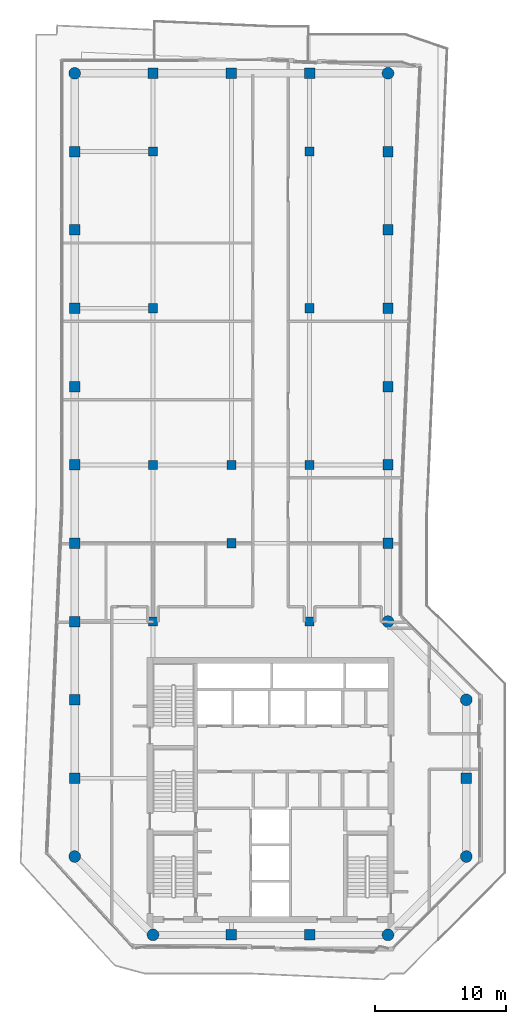
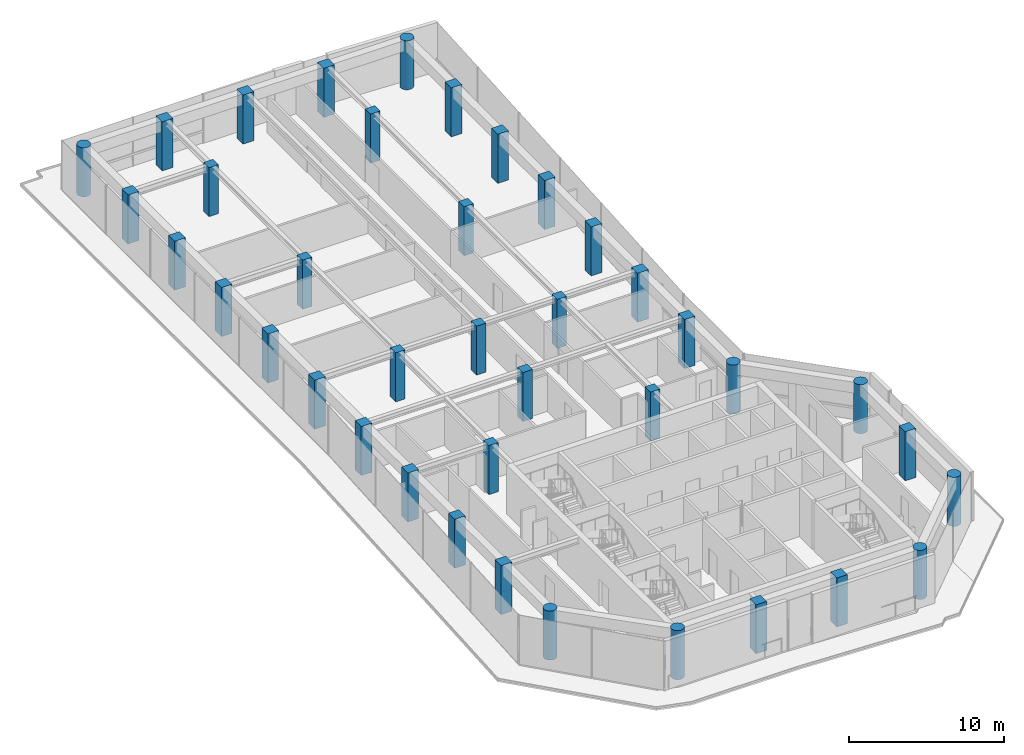
# One storey, part 1 of 20: 39 columns.
"""IFC4 building model written with IfcOpenShell, lengths in metres."""

import ifcopenshell
import ifcopenshell.guid

model = None  # the IFC model being written
_history = None  # IfcOwnerHistory: only IFC2X3 demands one
_inside = {}  # id of a spatial element -> (the spatial element, [elements in it])
_under = {}  # id of a project, library or spatial element -> (it, [spatial elements below it])
_declared = {}  # id of a project -> (the project, [libraries it declares])
_typed = {}  # id of a type object -> (the type object, [elements of that type])
_made_of = {}  # id of a material, layer set ... -> (it, [elements and type objects made of it])


def new_model(schema):
    """Start an empty IFC model of exactly this schema.

    Asked for "IFC4X3", IfcOpenShell would pick the latest addendum, in which some entities
    have other attributes; the version numbers below select the first issue.
    IFC2X3 requires an IfcOwnerHistory on every rooted entity: one is made here for all.
    """
    global model, _history
    if schema == "IFC4X3":
        model = ifcopenshell.file(schema_version=(4, 3, 0, 0))
    else:
        model = ifcopenshell.file(schema=schema)
    _inside.clear()
    _under.clear()
    _declared.clear()
    _typed.clear()
    _made_of.clear()
    _history = None
    if model.schema == "IFC2X3":
        org = make("IfcOrganization", Name="unknown")
        user = make(
            "IfcPersonAndOrganization",
            ThePerson=make("IfcPerson", FamilyName="unknown"),
            TheOrganization=org,
        )
        app = make(
            "IfcApplication",
            ApplicationDeveloper=org,
            Version="unknown",
            ApplicationFullName="unknown",
            ApplicationIdentifier="unknown",
        )
        _history = make(
            "IfcOwnerHistory",
            OwningUser=user,
            OwningApplication=app,
            ChangeAction="ADDED",
            CreationDate=0,
        )
    return model


def make(cls, **values):
    """One entity of the class cls with the attributes given. An attribute that is None is left unset."""
    return model.create_entity(
        cls, **{name: value for name, value in values.items() if value is not None}
    )


def rooted(cls, **values):
    """An entity with a GlobalId (a new one), such as an element, a storey or a relation."""
    return make(cls, GlobalId=ifcopenshell.guid.new(), OwnerHistory=_history, **values)


def si_unit(unit_type, name, prefix=None):
    """IfcSIUnit, for example si_unit("LENGTHUNIT", "METRE", prefix="MILLI")."""
    return make("IfcSIUnit", UnitType=unit_type, Prefix=prefix, Name=name)


def assignment(units):
    """IfcUnitAssignment: the units of a project."""
    return None if units is None else make("IfcUnitAssignment", Units=units)


def point(xyz):
    """IfcCartesianPoint."""
    return None if xyz is None else make("IfcCartesianPoint", Coordinates=xyz)


def direction(xyz):
    """IfcDirection."""
    return None if xyz is None else make("IfcDirection", DirectionRatios=xyz)


def frame(location, z_axis=None, x_axis=None):
    """IfcAxis2Placement3D, a coordinate frame: its origin and axes. An axis left out is left unset."""
    return make(
        "IfcAxis2Placement3D",
        Location=point(location),
        Axis=direction(z_axis),
        RefDirection=direction(x_axis),
    )


def frame_2d(location, x_axis=None):
    """IfcAxis2Placement2D, a coordinate frame in the plane: its origin and x axis."""
    return make(
        "IfcAxis2Placement2D", Location=point(location), RefDirection=direction(x_axis)
    )


def origin():
    """The frame at (0, 0, 0) with its axes left unset."""
    return frame((0.0, 0.0, 0.0))


def origin_2d():
    """The frame at (0, 0) in the plane with its x axis left unset."""
    return frame_2d((0.0, 0.0))


def place(relative_to, where):
    """IfcLocalPlacement: puts the frame where relative to a parent placement (None: the world)."""
    return make(
        "IfcLocalPlacement", PlacementRelTo=relative_to, RelativePlacement=where
    )


def context(
    kind, dimensions, precision=None, world=None, true_north=None, identifier=None
):
    """IfcGeometricRepresentationContext, for example the 3D "Model" context."""
    return make(
        "IfcGeometricRepresentationContext",
        ContextIdentifier=identifier,
        ContextType=kind,
        CoordinateSpaceDimension=dimensions,
        Precision=precision,
        WorldCoordinateSystem=world,
        TrueNorth=true_north,
    )


def subcontext(parent, identifier, kind, view, scale=None):
    """IfcGeometricRepresentationSubContext, for example "Body" below "Model"."""
    return make(
        "IfcGeometricRepresentationSubContext",
        ContextIdentifier=identifier,
        ContextType=kind,
        ParentContext=parent,
        TargetScale=scale,
        TargetView=view,
    )


def project(units=None, contexts=None):
    """IfcProject with its units and contexts."""
    return rooted(
        "IfcProject",
        Name="project",
        RepresentationContexts=contexts,
        UnitsInContext=assignment(units),
    )


def spatial(cls, under=None, at=None, **own):
    """A site, building, storey or space (cls), placed at a placement, below another one or the project."""
    s = rooted(cls, ObjectPlacement=at, **own)
    if under is not None:
        _under.setdefault(under.id(), (under, []))[1].append(s)
    return s


def profile(cls, at=None, kind="AREA", **sizes):
    """A parametric profile (cls). Its sizes go by their IFC names, for example OverallWidth=200.0."""
    return make(cls, ProfileType=kind, Position=at, **sizes)


def rectangle(**sizes):
    """IfcRectangleProfileDef."""
    return profile("IfcRectangleProfileDef", **sizes)


def circle(**sizes):
    """IfcCircleProfileDef."""
    return profile("IfcCircleProfileDef", **sizes)


def extrude(swept, where, along, depth):
    """IfcExtrudedAreaSolid: the profile swept, set in the frame where, extruded along a direction by depth."""
    return make(
        "IfcExtrudedAreaSolid",
        SweptArea=swept,
        Position=where,
        ExtrudedDirection=direction(along),
        Depth=depth,
    )


def shape(context_of_items, identifier, shape_type, items):
    """IfcShapeRepresentation: the items that make up one representation, for example the "Body"."""
    return make(
        "IfcShapeRepresentation",
        ContextOfItems=context_of_items,
        RepresentationIdentifier=identifier,
        RepresentationType=shape_type,
        Items=items,
    )


def material(Name=None, Category=None):
    """IfcMaterial."""
    return make("IfcMaterial", Name=Name, Category=Category)


def material_profile(
    of_material, cross_section, Name=None, Category=None, Priority=None
):
    """IfcMaterialProfile: a cross section and its material."""
    return make(
        "IfcMaterialProfile",
        Name=Name,
        Material=of_material,
        Profile=cross_section,
        Priority=Priority,
        Category=Category,
    )


def profile_set(profiles, Name=None, composite=None):
    """IfcMaterialProfileSet."""
    return make(
        "IfcMaterialProfileSet",
        Name=Name,
        MaterialProfiles=profiles,
        CompositeProfile=composite,
    )


def made_of(thing, what):
    """Note that an element or type object is made of a material, layer set ...; save() writes the relation."""
    if what is not None:
        _made_of.setdefault(what.id(), (what, []))[1].append(thing)
    return thing


def type_object(cls, material=None, **own):
    """A type object (cls), such as IfcWallType, which elements share."""
    return made_of(rooted(cls, **own), material)


def element(
    cls,
    number,
    at=None,
    inside=None,
    cuts=None,
    type_object=None,
    material=None,
    context=None,
    identifier="Body",
    shape_type=None,
    held_by="IfcProductDefinitionShape",
    body=None,
    shapes=None,
    **own,
):
    """One element of the class cls, such as IfcWall. Its Tag is "e" and its number.

    at: its placement. inside: the storey or other place that contains it. cuts: it is an
    opening in that element (IfcRelVoidsElement). A single representation is given by context,
    identifier, shape_type and body (its items); several are given by shapes. held_by: the class
    of the entity that holds the representations. save() writes the other relations.
    """
    e = rooted(cls, Tag="e%d" % number, ObjectPlacement=at, **own)
    if body is not None:
        shapes = [shape(context, identifier, shape_type, body)]
    if shapes is not None:
        e.Representation = make(held_by, Representations=shapes)
    if inside is not None:
        _inside.setdefault(inside.id(), (inside, []))[1].append(e)
    if cuts is not None:
        rooted(
            "IfcRelVoidsElement", RelatingBuildingElement=cuts, RelatedOpeningElement=e
        )
    if type_object is not None:
        _typed.setdefault(type_object.id(), (type_object, []))[1].append(e)
    return made_of(e, material)


def aggregate(whole, parts):
    """IfcRelAggregates: a whole, such as a stair, and the parts it consists of."""
    return rooted("IfcRelAggregates", RelatingObject=whole, RelatedObjects=parts)


def save(model, path):
    """Write the relations noted so far, then the file.

    IfcRelAggregates (storeys below a building ...), IfcRelContainedInSpatialStructure (elements
    in a storey), IfcRelDefinesByType, IfcRelAssociatesMaterial and IfcRelDeclares: one each for
    every whole, place, type object, material and project.
    """
    for whole, parts in _under.values():
        aggregate(whole, parts)
    for where, things in _inside.values():
        rooted(
            "IfcRelContainedInSpatialStructure",
            RelatedElements=things,
            RelatingStructure=where,
        )
    for kind, things in _typed.values():
        rooted("IfcRelDefinesByType", RelatedObjects=things, RelatingType=kind)
    for what, things in _made_of.values():
        rooted("IfcRelAssociatesMaterial", RelatedObjects=things, RelatingMaterial=what)
    for by, libraries in _declared.values():
        rooted("IfcRelDeclares", RelatingContext=by, RelatedDefinitions=libraries)
    model.write(path)


model = new_model("IFC4")

# Units and contexts
model_context = context("Model", 3, precision=1e-05, world=origin(), true_north=direction((0.0, 1.0)))
body_context = subcontext(model_context, "Body", "Model", "MODEL_VIEW")
ifc_project = project(units=[si_unit("LENGTHUNIT", "METRE"), si_unit("AREAUNIT", "SQUARE_METRE"), si_unit("VOLUMEUNIT", "CUBIC_METRE"), si_unit("PLANEANGLEUNIT", "RADIAN"), si_unit("MASSUNIT", "GRAM", prefix="KILO")], contexts=[model_context])

# Site, building, storey
site_placement = place(None, origin())
site = spatial("IfcSite", under=ifc_project, at=site_placement, CompositionType="ELEMENT")
building_placement = place(site_placement, origin())
building = spatial("IfcBuilding", under=site, at=building_placement, Name="Welwitschia Terrace Campus", CompositionType="ELEMENT")
storey_placement = place(building_placement, frame((0.0, 0.0, 239.0)))
storey = spatial("IfcBuildingStorey", under=building, at=storey_placement, Name="L53", CompositionType="ELEMENT", Elevation=239.0)

# Columns
ifc_material_1 = material(Name="Concrete C50/60", Category="concrete")
ifc_material_profile_1 = material_profile(ifc_material_1, circle(Radius=0.449951171875, at=origin_2d()))
ifc_profile_set_1 = profile_set([ifc_material_profile_1], Name="Concrete C50/60")
column_type_1 = type_object("IfcColumnType", Name="Corner column 900 dia", PredefinedType="COLUMN", material=ifc_profile_set_1)
for number, where, z_axis, x_axis, name in (
    (1, (0.0, 10.0, 0.0), (0.0, 0.0, 1.0), (1.0, 0.0, 0.0), "Column C32"),
    (2, (0.0, 70.0, 0.0), (0.0, 0.0, 1.0), (1.0, 0.0, 0.0), "Column C32"),
    (3, (6.0, 4.0, 0.0), (0.0, 0.0, 1.0), (1.0, 0.0, 0.0), "Column C32"),
    (4, (24.0, 4.0, 0.0), (0.0, 0.0, 1.0), (1.0, 0.0, 0.0), "Column C32"),
    (5, (24.0, 28.0, 0.0), (0.0, 0.0, 1.0), (1.0, 0.0, 0.0), "Column C32"),
    (6, (24.0, 70.0, 0.0), (0.0, 0.0, 1.0), (1.0, 0.0, 0.0), "Column C32"),
    (7, (30.0, 10.0, 0.0), (0.0, 0.0, 1.0), (1.0, 0.0, 0.0), "Column C32"),
    (8, (30.0, 22.0, 0.0), (0.0, 0.0, 1.0), (1.0, 0.0, 0.0), "Column C32"),
):
    element("IfcColumn", number, at=place(storey_placement, frame(where, z_axis=z_axis, x_axis=x_axis)), inside=storey, type_object=column_type_1, Name=name, PredefinedType="COLUMN", context=body_context, shape_type="SweptSolid", body=[
        extrude(circle(Radius=0.449951171875, at=origin_2d()), origin(), (0.0, 0.0, 1.0), 3.85009765625),
    ])
ifc_material_2 = material(Name="Concrete C50/60", Category="concrete")
ifc_material_profile_2 = material_profile(ifc_material_2, rectangle(XDim=0.699951171875, YDim=0.699951171875, at=origin_2d()))
ifc_profile_set_2 = profile_set([ifc_material_profile_2], Name="Concrete C50/60")
column_type_2 = type_object("IfcColumnType", Name="Interior column 700x700", PredefinedType="COLUMN", material=ifc_profile_set_2)
for number, where, z_axis, x_axis, name in (
    (9, (6.0, 28.0, 0.0), (0.0, 0.0, 1.0), (1.0, 0.0, 0.0), "Column C34"),
    (10, (6.0, 40.0, 0.0), (0.0, 0.0, 1.0), (1.0, 0.0, 0.0), "Column C34"),
    (11, (6.0, 52.0, 0.0), (0.0, 0.0, 1.0), (1.0, 0.0, 0.0), "Column C34"),
    (12, (6.0, 64.0, 0.0), (0.0, 0.0, 1.0), (1.0, 0.0, 0.0), "Column C34"),
    (13, (12.0, 34.0, 0.0), (0.0, 0.0, 1.0), (1.0, 0.0, 0.0), "Column C34"),
    (14, (12.0, 40.0, 0.0), (0.0, 0.0, 1.0), (1.0, 0.0, 0.0), "Column C34"),
    (15, (18.0, 28.0, 0.0), (0.0, 0.0, 1.0), (1.0, 0.0, 0.0), "Column C34"),
    (16, (18.0, 40.0, 0.0), (0.0, 0.0, 1.0), (1.0, 0.0, 0.0), "Column C34"),
    (17, (18.0, 52.0, 0.0), (0.0, 0.0, 1.0), (1.0, 0.0, 0.0), "Column C34"),
    (18, (18.0, 64.0, 0.0), (0.0, 0.0, 1.0), (1.0, 0.0, 0.0), "Column C34"),
):
    element("IfcColumn", number, at=place(storey_placement, frame(where, z_axis=z_axis, x_axis=x_axis)), inside=storey, type_object=column_type_2, Name=name, PredefinedType="COLUMN", context=body_context, shape_type="SweptSolid", body=[
        extrude(rectangle(XDim=0.699951171875, YDim=0.699951171875, at=origin_2d()), origin(), (0.0, 0.0, 1.0), 3.85009765625),
    ])
ifc_material_3 = material(Name="Concrete C50/60", Category="concrete")
ifc_material_profile_3 = material_profile(ifc_material_3, rectangle(XDim=0.800048828125, YDim=0.800048828125, at=origin_2d()))
ifc_profile_set_3 = profile_set([ifc_material_profile_3], Name="Concrete C50/60")
column_type_3 = type_object("IfcColumnType", Name="Ring column 800x800", PredefinedType="COLUMN", material=ifc_profile_set_3)
for number, where, z_axis, x_axis, name in (
    (19, (0.0, 16.0, 0.0), (0.0, 0.0, 1.0), (1.0, 0.0, 0.0), "Column C33"),
    (20, (0.0, 22.0, 0.0), (0.0, 0.0, 1.0), (1.0, 0.0, 0.0), "Column C33"),
    (21, (0.0, 28.0, 0.0), (0.0, 0.0, 1.0), (1.0, 0.0, 0.0), "Column C33"),
    (22, (0.0, 34.0, 0.0), (0.0, 0.0, 1.0), (1.0, 0.0, 0.0), "Column C33"),
    (23, (0.0, 40.0, 0.0), (0.0, 0.0, 1.0), (1.0, 0.0, 0.0), "Column C33"),
    (24, (0.0, 46.0, 0.0), (0.0, 0.0, 1.0), (1.0, 0.0, 0.0), "Column C33"),
    (25, (0.0, 52.0, 0.0), (0.0, 0.0, 1.0), (1.0, 0.0, 0.0), "Column C33"),
    (26, (0.0, 58.0, 0.0), (0.0, 0.0, 1.0), (1.0, 0.0, 0.0), "Column C33"),
    (27, (0.0, 64.0, 0.0), (0.0, 0.0, 1.0), (1.0, 0.0, 0.0), "Column C33"),
    (28, (6.0, 70.0, 0.0), (0.0, 0.0, 1.0), (1.0, 0.0, 0.0), "Column C33"),
    (29, (12.0, 4.0, 0.0), (0.0, 0.0, 1.0), (1.0, 0.0, 0.0), "Column C33"),
    (30, (12.0, 70.0, 0.0), (0.0, 0.0, 1.0), (1.0, 0.0, 0.0), "Column C33"),
    (31, (18.0, 4.0, 0.0), (0.0, 0.0, 1.0), (1.0, 0.0, 0.0), "Column C33"),
    (32, (18.0, 70.0, 0.0), (0.0, 0.0, 1.0), (1.0, 0.0, 0.0), "Column C33"),
    (33, (24.0, 34.0, 0.0), (0.0, 0.0, 1.0), (1.0, 0.0, 0.0), "Column C33"),
    (34, (24.0, 40.0, 0.0), (0.0, 0.0, 1.0), (1.0, 0.0, 0.0), "Column C33"),
    (35, (24.0, 46.0, 0.0), (0.0, 0.0, 1.0), (1.0, 0.0, 0.0), "Column C33"),
    (36, (24.0, 52.0, 0.0), (0.0, 0.0, 1.0), (1.0, 0.0, 0.0), "Column C33"),
    (37, (24.0, 58.0, 0.0), (0.0, 0.0, 1.0), (1.0, 0.0, 0.0), "Column C33"),
    (38, (24.0, 64.0, 0.0), (0.0, 0.0, 1.0), (1.0, 0.0, 0.0), "Column C33"),
    (39, (30.0, 16.0, 0.0), (0.0, 0.0, 1.0), (1.0, 0.0, 0.0), "Column C33"),
):
    element("IfcColumn", number, at=place(storey_placement, frame(where, z_axis=z_axis, x_axis=x_axis)), inside=storey, type_object=column_type_3, Name=name, PredefinedType="COLUMN", context=body_context, shape_type="SweptSolid", body=[
        extrude(rectangle(XDim=0.800048828125, YDim=0.800048828125, at=origin_2d()), origin(), (0.0, 0.0, 1.0), 3.85009765625),
    ])

save(model, "model.ifc")
